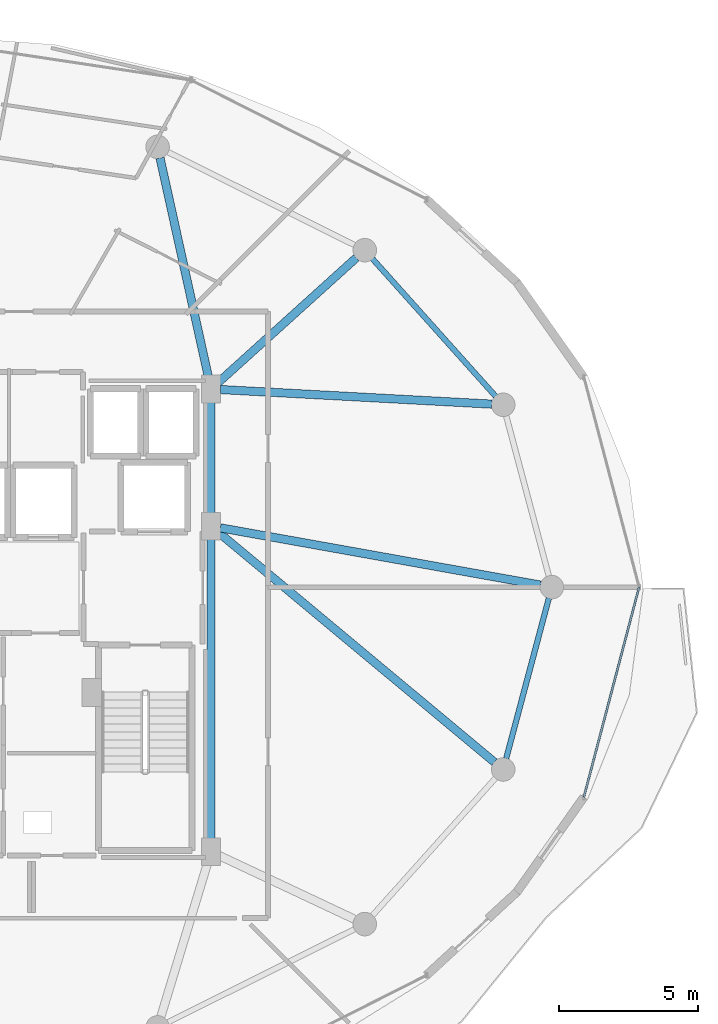
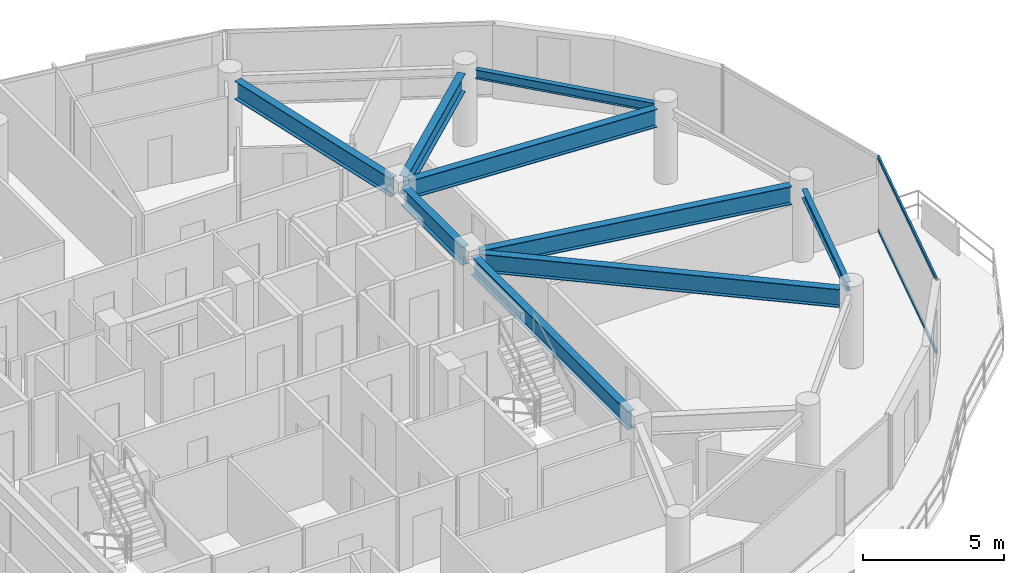
# One storey, part 10 of 25: 9 beams, 2 members, 1 element without a shape of its own.
"""IFC4 building model written with IfcOpenShell, lengths in metres."""

from ifc_helpers import new_model, si_unit, direction, frame, origin, origin_2d, place, context, subcontext, project, spatial, hollow_rectangle, i_section, extrude, material, material_profile, profile_set, type_object, element, aggregate, save


model = new_model("IFC4")

# Units and contexts
model_context = context("Model", 3, precision=1e-05, world=origin(), true_north=direction((0.0, 1.0)))
body_context = subcontext(model_context, "Body", "Model", "MODEL_VIEW")
ifc_project = project(units=[si_unit("LENGTHUNIT", "METRE"), si_unit("AREAUNIT", "SQUARE_METRE"), si_unit("VOLUMEUNIT", "CUBIC_METRE"), si_unit("PLANEANGLEUNIT", "RADIAN"), si_unit("MASSUNIT", "GRAM", prefix="KILO")], contexts=[model_context])

# Site, building, storey
site_placement = place(None, origin())
site = spatial("IfcSite", under=ifc_project, at=site_placement, CompositionType="ELEMENT")
building_placement = place(site_placement, origin())
building = spatial("IfcBuilding", under=site, at=building_placement, Name="Vorneva Point Tower", CompositionType="ELEMENT")
storey_placement = place(building_placement, frame((0.0, 0.0, 276.85009765625)))
storey = spatial("IfcBuildingStorey", under=building, at=storey_placement, Name="L75", CompositionType="ELEMENT", Elevation=276.85009765625)

# Beams
ifc_material_1 = material(Name="Steel S355", Category="steel")
ifc_material_profile_1 = material_profile(ifc_material_1, i_section(OverallWidth=0.300048828125, OverallDepth=0.7880859375, WebThickness=0.014404296875, FlangeThickness=0.02197265625, at=origin_2d()), Name="80Sh1")
ifc_profile_set_1 = profile_set([ifc_material_profile_1], Name="Steel S355")
beam_type_1 = type_object("IfcBeamType", Name="BM-GRD-80Sh1", PredefinedType="USERDEFINED", material=ifc_profile_set_1)
beam_1_placement = place(storey_placement, frame((60.6435546875, 26.07275390625, 2.7958984375), z_axis=(-0.9843788355, 0.17606336422, 0.0), x_axis=(-0.17606336422, -0.9843788355, 0.0)))
element("IfcBeam", 1, at=beam_1_placement, inside=storey, type_object=beam_type_1, Name="L75 Radial Primary Girder 01", ObjectType="GIRDER", PredefinedType="USERDEFINED", context=body_context, shape_type="SweptSolid", body=[
    extrude(i_section(OverallWidth=0.300048828125, OverallDepth=0.7880859375, WebThickness=0.014404296875, FlangeThickness=0.02197265625, at=origin_2d()), origin(), (0.0, 0.0, 1.0), 11.7421875),
])
beam_2_placement = place(storey_placement, frame((58.883056640625, 32.6044921875, 2.7958984375), z_axis=(-0.998554756376, 0.05374382308, 0.0), x_axis=(-0.05374382308, -0.998554756376, 0.0)))
element("IfcBeam", 2, at=beam_2_placement, inside=storey, type_object=beam_type_1, Name="L75 Radial Primary Girder 02", ObjectType="GIRDER", PredefinedType="USERDEFINED", context=body_context, shape_type="SweptSolid", body=[
    extrude(i_section(OverallWidth=0.300048828125, OverallDepth=0.7880859375, WebThickness=0.014404296875, FlangeThickness=0.02197265625, at=origin_2d()), origin(), (0.0, 0.0, 1.0), 9.8076171875),
])
beam_3_placement = place(storey_placement, frame((53.9921875, 37.885498046875, 2.7958984375), z_axis=(-0.7420671051, -0.670325601128, 0.0), x_axis=(0.670325601128, -0.7420671051, 0.0)))
element("IfcBeam", 3, at=beam_3_placement, inside=storey, type_object=beam_type_1, Name="L75 Radial Primary Girder 03", ObjectType="GIRDER", PredefinedType="USERDEFINED", context=body_context, shape_type="SweptSolid", body=[
    extrude(i_section(OverallWidth=0.300048828125, OverallDepth=0.7880859375, WebThickness=0.014404296875, FlangeThickness=0.02197265625, at=origin_2d()), origin(), (0.0, 0.0, 1.0), 6.724365234375),
])
beam_4_placement = place(storey_placement, frame((46.909912109375, 41.4873046875, 2.7958984375), z_axis=(0.215520742957, -0.976499262342, 0.0), x_axis=(0.976499262342, 0.215520742957, 0.0)))
element("IfcBeam", 4, at=beam_4_placement, inside=storey, type_object=beam_type_1, Name="L75 Radial Primary Girder 04", ObjectType="GIRDER", PredefinedType="USERDEFINED", context=body_context, shape_type="SweptSolid", body=[
    extrude(i_section(OverallWidth=0.300048828125, OverallDepth=0.7880859375, WebThickness=0.014404296875, FlangeThickness=0.02197265625, at=origin_2d()), origin(), (0.0, 0.0, 1.0), 8.197998046875),
])
beam_5_placement = place(storey_placement, frame((58.97802734375, 19.68212890625, 2.7958984375), z_axis=(-0.768424898021, 0.639939978515, 0.0), x_axis=(-0.639939978515, -0.768424898021, 0.0)))
element("IfcBeam", 5, at=beam_5_placement, inside=storey, type_object=beam_type_1, Name="L75 Radial Primary Girder 16", ObjectType="GIRDER", PredefinedType="USERDEFINED", context=body_context, shape_type="SweptSolid", body=[
    extrude(i_section(OverallWidth=0.300048828125, OverallDepth=0.7880859375, WebThickness=0.014404296875, FlangeThickness=0.02197265625, at=origin_2d()), origin(), (0.0, 0.0, 1.0), 12.970458984375),
])
beam_6_placement = place(storey_placement, frame((48.75, 16.77001953125, 2.7958984375), z_axis=(0.0, 1.0, 0.0), x_axis=(-1.0, 0.0, 0.0)))
element("IfcBeam", 6, at=beam_6_placement, inside=storey, type_object=beam_type_1, Name="L75 Core Tie Girder CT3", ObjectType="GIRDER", PredefinedType="USERDEFINED", context=body_context, shape_type="SweptSolid", body=[
    extrude(i_section(OverallWidth=0.300048828125, OverallDepth=0.7880859375, WebThickness=0.014404296875, FlangeThickness=0.02197265625, at=origin_2d()), origin(), (0.0, 0.0, 1.0), 11.10986328125),
])
beam_7_placement = place(storey_placement, frame((48.75, 28.52001953125, 2.7958984375), z_axis=(0.0, 1.0, 0.0), x_axis=(-1.0, 0.0, 0.0)))
element("IfcBeam", 7, at=beam_7_placement, inside=storey, type_object=beam_type_1, Name="L75 Core Tie Girder CT4", ObjectType="GIRDER", PredefinedType="USERDEFINED", context=body_context, shape_type="SweptSolid", body=[
    extrude(i_section(OverallWidth=0.300048828125, OverallDepth=0.7880859375, WebThickness=0.014404296875, FlangeThickness=0.02197265625, at=origin_2d()), origin(), (0.0, 0.0, 1.0), 4.31005859375),
])
ifc_material_profile_2 = material_profile(ifc_material_1, i_section(OverallWidth=0.198974609375, OverallDepth=0.39599609375, WebThickness=0.007080078125, FlangeThickness=0.010986328125, at=origin_2d()), Name="40B1")
ifc_profile_set_2 = profile_set([ifc_material_profile_2], Name="Steel S355")
beam_type_2 = type_object("IfcBeamType", Name="BM-SPN-40B1", PredefinedType="SPANDREL", material=ifc_profile_set_2)
beam_8_placement = place(storey_placement, frame((59.02197265625, 32.8876953125, 2.991943359375), z_axis=(-0.667108282638, 0.744960763554, 0.0), x_axis=(-0.744960763554, -0.667108282638, 0.0)))
element("IfcBeam", 8, at=beam_8_placement, inside=storey, type_object=beam_type_2, Name="L75 Perimeter Spandrel Ring Beam 02", PredefinedType="SPANDREL", context=body_context, shape_type="SweptSolid", body=[
    extrude(i_section(OverallWidth=0.198974609375, OverallDepth=0.39599609375, WebThickness=0.007080078125, FlangeThickness=0.010986328125, at=origin_2d()), origin(), (0.0, 0.0, 1.0), 6.670166015625),
])
beam_9_placement = place(storey_placement, frame((59.40087890625, 19.81396484375, 2.991943359375), z_axis=(0.257586570866, 0.966255224312, 0.0), x_axis=(-0.966255224312, 0.257586570866, 0.0)))
element("IfcBeam", 9, at=beam_9_placement, inside=storey, type_object=beam_type_2, Name="L75 Perimeter Spandrel Ring Beam 16", PredefinedType="SPANDREL", context=body_context, shape_type="SweptSolid", body=[
    extrude(i_section(OverallWidth=0.198974609375, OverallDepth=0.39599609375, WebThickness=0.007080078125, FlangeThickness=0.010986328125, at=origin_2d()), origin(), (0.0, 0.0, 1.0), 5.991943359375),
])

# Curtain wall, members
ifc_material_2 = material(Name="Pale anodised aluminium", Category="aluminium")
curtain_wall_type = type_object("IfcCurtainWallType", Name="CW-RES-SYS", PredefinedType="NOTDEFINED", material=ifc_material_2)
curtain_wall_placement = place(storey_placement, origin())
curtain_wall = element("IfcCurtainWall", 10, at=curtain_wall_placement, inside=storey, type_object=curtain_wall_type, Name="L75 Unitised Curtain Wall CW-L75-R01", PredefinedType="NOTDEFINED")
ifc_material_profile_3 = material_profile(ifc_material_2, hollow_rectangle(XDim=0.074951171875, YDim=0.14990234375, WallThickness=0.00390625, at=origin_2d()), Name="AL-TRN 150x75x4")
ifc_profile_set_3 = profile_set([ifc_material_profile_3], Name="Pale anodised aluminium")
member_type = type_object("IfcMemberType", Name="CW-TRN-150", PredefinedType="USERDEFINED", material=ifc_profile_set_3)
member_1_placement = place(storey_placement, frame((62.20556640625, 18.4189453125, 0.02001953125), z_axis=(0.254418180926, 0.967094302131, 0.0), x_axis=(-0.967094302131, 0.254418180926, 0.0)))
member_1 = element("IfcMember", 11, at=member_1_placement, type_object=member_type, Name="CW-L75-R01 Transom 01.1", ObjectType="TRANSOM", PredefinedType="USERDEFINED", context=body_context, shape_type="SweptSolid", body=[
    extrude(hollow_rectangle(XDim=0.074951171875, YDim=0.14990234375, WallThickness=0.00390625, at=origin_2d()), origin(), (0.0, 0.0, 1.0), 7.839111328125),
])
member_2_placement = place(storey_placement, frame((62.20556640625, 18.4189453125, 3.169921875), z_axis=(0.254418180926, 0.967094302131, 0.0), x_axis=(-0.967094302131, 0.254418180926, 0.0)))
member_2 = element("IfcMember", 12, at=member_2_placement, type_object=member_type, Name="CW-L75-R01 Transom 01.2", ObjectType="TRANSOM", PredefinedType="USERDEFINED", context=body_context, shape_type="SweptSolid", body=[
    extrude(hollow_rectangle(XDim=0.074951171875, YDim=0.14990234375, WallThickness=0.00390625, at=origin_2d()), origin(), (0.0, 0.0, 1.0), 7.839111328125),
])
aggregate(curtain_wall, [member_1, member_2])

save(model, "model.ifc")
